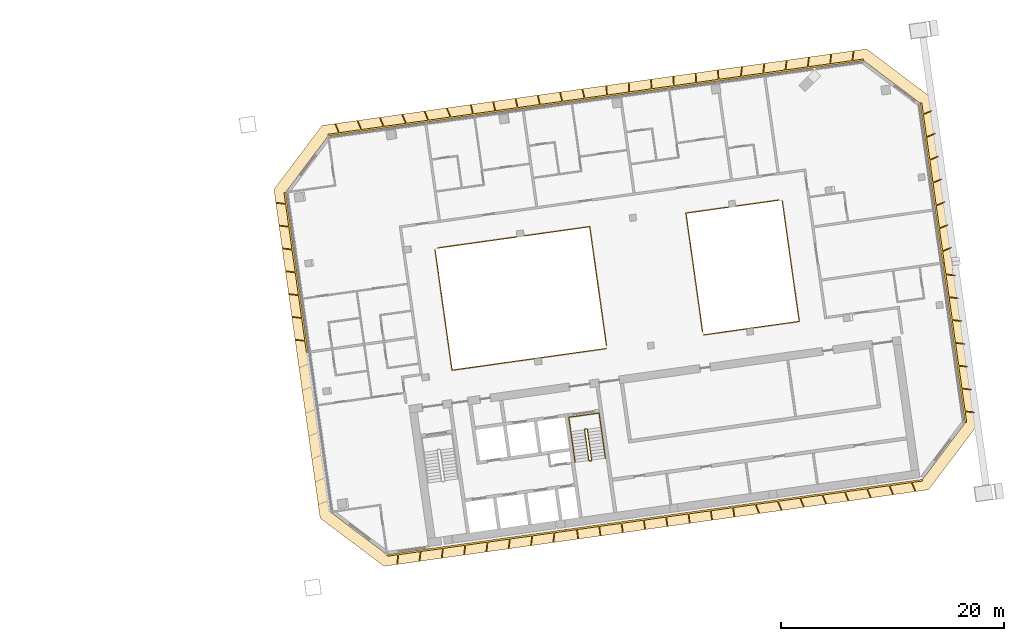
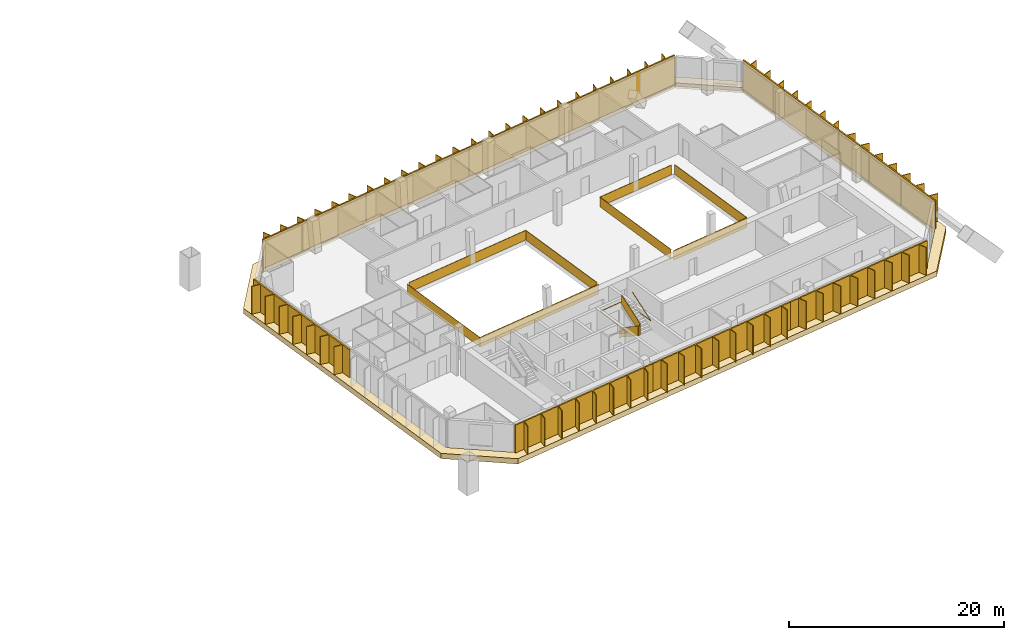
# One storey, part 29 of 29: 10 shading devices, 6 railings, 1 covering.
"""IFC4 building model written with IfcOpenShell, lengths in metres."""

from ifc_helpers import new_model, si_unit, direction, frame, origin, origin_2d, place, context, subcontext, project, spatial, polyline, rectangle, outline, extrude, material, layer, layer_set, type_object, element, save


model = new_model("IFC4")

# Units and contexts
model_context = context("Model", 3, precision=1e-05, world=origin(), true_north=direction((0.0, 1.0)))
body_context = subcontext(model_context, "Body", "Model", "MODEL_VIEW")
ifc_project = project(units=[si_unit("LENGTHUNIT", "METRE"), si_unit("AREAUNIT", "SQUARE_METRE"), si_unit("VOLUMEUNIT", "CUBIC_METRE"), si_unit("PLANEANGLEUNIT", "RADIAN"), si_unit("MASSUNIT", "GRAM", prefix="KILO")], contexts=[model_context])

# Site, building, storey
site_placement = place(None, origin())
site = spatial("IfcSite", under=ifc_project, at=site_placement, CompositionType="ELEMENT")
building_placement = place(site_placement, origin())
building = spatial("IfcBuilding", under=site, at=building_placement, Name="Mirante Cascada Hotel Towers", CompositionType="ELEMENT")
storey_placement = place(building_placement, frame((0.0, 0.0, 206.8)))
storey = spatial("IfcBuildingStorey", under=building, at=storey_placement, Name="L49", CompositionType="ELEMENT", Elevation=206.8)

# Railings
ifc_material_1 = material(Name="Toughened glass with stainless steel handrail", Category="steel")
railing_type_1 = type_object("IfcRailingType", Name="Atrium guard 1100 glass balustrade", PredefinedType="GUARDRAIL", material=ifc_material_1)
railing_1_placement = place(storey_placement, frame((37.864, 6.7125, 0.0)))
element("IfcRailing", 1, at=railing_1_placement, inside=storey, type_object=railing_type_1, Name="GUARD 2-L49-1", PredefinedType="GUARDRAIL", context=body_context, shape_type="SweptSolid", body=[
    extrude(rectangle(XDim=0.048, YDim=0.048, at=origin_2d()), frame((0.0, 0.0, 1.076), z_axis=(0.1391712, -0.9902683, 0.0), x_axis=(0.9902683, 0.1391712, 0.0)), (0.0, 0.0, 1.0), 10.9333),
    extrude(rectangle(XDim=0.02, YDim=1.052, at=origin_2d()), frame((0.0, 0.0, 0.526), z_axis=(0.1391712, -0.9902683, 0.0), x_axis=(0.9902683, 0.1391712, 0.0)), (0.0, 0.0, 1.0), 10.9333),
    extrude(rectangle(XDim=0.048, YDim=0.048, at=origin_2d()), frame((1.5216, -10.8269, 1.076), z_axis=(0.9902678, 0.1391747, 0.0), x_axis=(-0.1391747, 0.9902678, 0.0)), (0.0, 0.0, 1.0), 13.9982),
    extrude(rectangle(XDim=0.02, YDim=1.052, at=origin_2d()), frame((1.5216, -10.8269, 0.526), z_axis=(0.9902678, 0.1391747, 0.0), x_axis=(-0.1391747, 0.9902678, 0.0)), (0.0, 0.0, 1.0), 13.9982),
])
railing_2_placement = place(storey_placement, frame((61.9955, -0.9367, 0.0)))
element("IfcRailing", 2, at=railing_2_placement, inside=storey, type_object=railing_type_1, Name="GUARD 2-L49-2", PredefinedType="GUARDRAIL", context=body_context, shape_type="SweptSolid", body=[
    extrude(rectangle(XDim=0.048, YDim=0.048, at=origin_2d()), frame((0.0, 0.0, 1.076), z_axis=(0.9902686, 0.1391695, 0.0), x_axis=(-0.1391695, 0.9902686, 0.0)), (0.0, 0.0, 1.0), 8.6679),
    extrude(rectangle(XDim=0.02, YDim=1.052, at=origin_2d()), frame((0.0, 0.0, 0.526), z_axis=(0.9902686, 0.1391695, 0.0), x_axis=(-0.1391695, 0.9902686, 0.0)), (0.0, 0.0, 1.0), 8.6679),
    extrude(rectangle(XDim=0.048, YDim=0.048, at=origin_2d()), frame((8.5835, 1.2063, 1.076), z_axis=(-0.1391712, 0.9902683, 0.0), x_axis=(-0.9902683, -0.1391712, 0.0)), (0.0, 0.0, 1.0), 10.9333),
    extrude(rectangle(XDim=0.02, YDim=1.052, at=origin_2d()), frame((8.5835, 1.2063, 0.526), z_axis=(-0.1391712, 0.9902683, 0.0), x_axis=(-0.9902683, -0.1391712, 0.0)), (0.0, 0.0, 1.0), 10.9333),
])
railing_3_placement = place(storey_placement, frame((53.255, -1.8666, 0.0)))
element("IfcRailing", 3, at=railing_3_placement, inside=storey, type_object=railing_type_1, Name="GUARD 2-L49-3", PredefinedType="GUARDRAIL", context=body_context, shape_type="SweptSolid", body=[
    extrude(rectangle(XDim=0.048, YDim=0.048, at=origin_2d()), frame((0.0, 0.0, 1.076), z_axis=(-0.1391715, 0.9902683, 0.0), x_axis=(-0.9902683, -0.1391715, 0.0)), (0.0, 0.0, 1.0), 10.7544),
    extrude(rectangle(XDim=0.02, YDim=1.052, at=origin_2d()), frame((0.0, 0.0, 0.526), z_axis=(-0.1391715, 0.9902683, 0.0), x_axis=(-0.9902683, -0.1391715, 0.0)), (0.0, 0.0, 1.0), 10.7544),
    extrude(rectangle(XDim=0.048, YDim=0.048, at=origin_2d()), frame((-1.4967, 10.6497, 1.076), z_axis=(-0.9902686, -0.1391692, 0.0), x_axis=(0.1391692, -0.9902686, 0.0)), (0.0, 0.0, 1.0), 13.771),
    extrude(rectangle(XDim=0.02, YDim=1.052, at=origin_2d()), frame((-1.4967, 10.6497, 0.526), z_axis=(-0.9902686, -0.1391692, 0.0), x_axis=(0.1391692, -0.9902686, 0.0)), (0.0, 0.0, 1.0), 13.771),
])
railing_4_placement = place(storey_placement, frame((68.7676, 11.1736, 0.0)))
element("IfcRailing", 4, at=railing_4_placement, inside=storey, type_object=railing_type_1, Name="GUARD 2-L49-4", PredefinedType="GUARDRAIL", context=body_context, shape_type="SweptSolid", body=[
    extrude(rectangle(XDim=0.048, YDim=0.048, at=origin_2d()), frame((0.0, 0.0, 1.076), z_axis=(-0.9902699, -0.1391603, 0.0), x_axis=(0.1391603, -0.9902699, 0.0)), (0.0, 0.0, 1.0), 8.4406),
    extrude(rectangle(XDim=0.02, YDim=1.052, at=origin_2d()), frame((0.0, 0.0, 0.526), z_axis=(-0.9902699, -0.1391603, 0.0), x_axis=(0.1391603, -0.9902699, 0.0)), (0.0, 0.0, 1.0), 8.4406),
    extrude(rectangle(XDim=0.048, YDim=0.048, at=origin_2d()), frame((-8.3585, -1.1746, 1.076), z_axis=(0.1391702, -0.9902685, 0.0), x_axis=(0.9902685, 0.1391702, 0.0)), (0.0, 0.0, 1.0), 10.7545),
    extrude(rectangle(XDim=0.02, YDim=1.052, at=origin_2d()), frame((-8.3585, -1.1746, 0.526), z_axis=(0.1391702, -0.9902685, 0.0), x_axis=(0.9902685, 0.1391702, 0.0)), (0.0, 0.0, 1.0), 10.7545),
])

# Covering
ifc_material_2 = material(Name="Precast concrete C40/50 white", Category="concrete")
ifc_layer = layer(ifc_material_2, 0.6)
ifc_layer_set = layer_set([ifc_layer], Name="Precast concrete SUNSHADE band 1000x600")
covering_type = type_object("IfcCoveringType", Name="Precast concrete SUNSHADE band 1000x600", PredefinedType="CLADDING", material=ifc_layer_set)
covering_placement = place(storey_placement, frame((0.0, 0.0, -0.45)))
element("IfcCovering", 5, at=covering_placement, inside=storey, type_object=covering_type, Name="Precast concrete SUNSHADE band T2 L49", PredefinedType="CLADDING", context=body_context, shape_type="SweptSolid", body=[
    extrude(outline(polyline([(23.3823, 12.1307), (27.7108, 17.8748), (76.645, 24.7521), (82.3891, 20.4236), (84.2363, 7.2797), (84.2357, 7.2791), (84.2079, 7.2483), (84.1833, 7.215), (84.1621, 7.1794), (84.1445, 7.1418), (84.1306, 7.1028), (84.1207, 7.0625), (84.1147, 7.0215), (84.1128, 6.9801), (84.1149, 6.9387), (84.1705, 6.3886), (84.1767, 6.3476), (84.1869, 6.3074), (84.201, 6.2684), (84.2188, 6.2309), (84.2402, 6.1954), (84.265, 6.1622), (84.2929, 6.1315), (84.3237, 6.1038), (84.3571, 6.0792), (84.3927, 6.058), (84.4091, 6.0502), (84.5204, 5.2588), (84.5067, 5.2469), (84.4783, 5.2166), (84.453, 5.1838), (84.4311, 5.1486), (84.4127, 5.1115), (84.398, 5.0727), (84.3872, 5.0326), (84.3804, 4.9917), (84.3776, 4.9504), (84.3789, 4.9089), (84.3843, 4.8678), (84.4824, 4.3237), (84.4918, 4.2833), (84.505, 4.244), (84.5221, 4.2062), (84.5428, 4.1703), (84.5668, 4.1366), (84.5941, 4.1053), (84.6244, 4.0769), (84.6572, 4.0517), (84.6924, 4.0297), (84.6931, 4.0293), (86.5404, -9.1145), (82.2119, -14.8586), (33.2777, -21.7359), (27.5336, -17.4074), (23.3823, 12.1307)]), holes=[polyline([(85.4925, -8.8435), (81.4565, 19.8742), (76.374, 23.7042), (28.2602, 16.9422), (24.4302, 11.8597), (28.4663, -16.8581), (33.5487, -20.688), (81.6626, -13.926), (85.4925, -8.8435)])]), origin(), (0.0, 0.0, 1.0), 0.6),
])

# Railings
ifc_material_3 = material(Name="Painted steel", Category="steel")
railing_type_2 = type_object("IfcRailingType", Name="Stair guard 1100 steel balustrade", PredefinedType="GUARDRAIL", material=ifc_material_3)
railing_5_placement = place(storey_placement, frame((51.4864, -9.3815, 0.0)))
element("IfcRailing", 6, at=railing_5_placement, inside=storey, type_object=railing_type_2, Name="L49 ST2-B stair guard 1", PredefinedType="GUARDRAIL", context=body_context, shape_type="SweptSolid", body=[
    extrude(rectangle(XDim=0.048, YDim=0.048, at=origin_2d()), frame((0.0, 0.0, 1.076), z_axis=(-0.9902408, -0.1393672, 0.0), x_axis=(0.1393672, -0.9902408, 0.0)), (0.0, 0.0, 1.0), 0.15),
    extrude(rectangle(XDim=0.02, YDim=1.052, at=origin_2d()), frame((0.0, 0.0, 0.526), z_axis=(-0.9902408, -0.1393672, 0.0), x_axis=(0.1393672, -0.9902408, 0.0)), (0.0, 0.0, 1.0), 0.15),
    extrude(rectangle(XDim=0.048, YDim=0.048, at=origin_2d()), frame((-0.1485, -0.0209, 1.076), z_axis=(-0.6020331, -0.7984711, 0.0), x_axis=(0.7984711, -0.6020331, 0.0)), (0.0, 0.9253398, 0.3791387), 0.1866),
    extrude(rectangle(XDim=0.02, YDim=1.052, at=origin_2d()), frame((-0.1485, -0.0209, 0.526), z_axis=(-0.6020331, -0.7984711, 0.0), x_axis=(0.7984711, -0.6020331, 0.0)), (0.0, 0.9253398, 0.3791387), 0.1866),
    extrude(rectangle(XDim=0.048, YDim=0.048, at=origin_2d()), frame((-0.1911, -0.0774, 1.2487), z_axis=(0.139181, -0.990267, 0.0), x_axis=(0.990267, 0.139181, 0.0)), (0.0, 0.5250347, 0.8510808), 3.2899),
    extrude(rectangle(XDim=0.02, YDim=1.052, at=origin_2d()), frame((-0.1911, -0.0774, 0.6987), z_axis=(0.139181, -0.990267, 0.0), x_axis=(0.990267, 0.139181, 0.0)), (0.0, 0.5250347, 0.8510808), 3.2899),
    extrude(rectangle(XDim=0.048, YDim=0.048, at=origin_2d()), frame((0.1986, -2.8501, 2.976), z_axis=(0.9944441, -0.1052656, 0.0), x_axis=(0.1052656, 0.9944441, 0.0)), (0.0, 0.0, 1.0), 0.2061),
    extrude(rectangle(XDim=0.02, YDim=1.052, at=origin_2d()), frame((0.1986, -2.8501, 2.426), z_axis=(0.9944441, -0.1052656, 0.0), x_axis=(0.1052656, 0.9944441, 0.0)), (0.0, 0.0, 1.0), 0.2061),
    extrude(rectangle(XDim=0.048, YDim=0.048, at=origin_2d()), frame((0.4036, -2.8718, 2.976), z_axis=(-0.9902408, -0.1393672, 0.0), x_axis=(0.1393672, -0.9902408, 0.0)), (0.0, 0.0, 1.0), 0.15),
    extrude(rectangle(XDim=0.02, YDim=1.052, at=origin_2d()), frame((0.4036, -2.8718, 2.426), z_axis=(-0.9902408, -0.1393672, 0.0), x_axis=(0.1393672, -0.9902408, 0.0)), (0.0, 0.0, 1.0), 0.15),
    extrude(rectangle(XDim=0.048, YDim=0.048, at=origin_2d()), frame((0.2551, -2.8927, 2.976), z_axis=(0.9268624, 0.3754011, 0.0), x_axis=(-0.3754011, 0.9268624, 0.0)), (0.0, 0.6421217, 0.7666028), 0.269),
    extrude(rectangle(XDim=0.02, YDim=1.052, at=origin_2d()), frame((0.2551, -2.8927, 2.426), z_axis=(0.9268624, 0.3754011, 0.0), x_axis=(-0.3754011, 0.9268624, 0.0)), (0.0, 0.6421217, 0.7666028), 0.269),
    extrude(rectangle(XDim=0.048, YDim=0.048, at=origin_2d()), frame((0.4462, -2.8153, 3.1487), z_axis=(-0.139181, 0.990267, 0.0), x_axis=(-0.990267, -0.139181, 0.0)), (0.0, 0.5250347, 0.8510808), 3.2899),
    extrude(rectangle(XDim=0.02, YDim=1.052, at=origin_2d()), frame((0.4462, -2.8153, 2.5987), z_axis=(-0.139181, 0.990267, 0.0), x_axis=(-0.990267, -0.139181, 0.0)), (0.0, 0.5250347, 0.8510808), 3.2899),
])
ifc_material_4 = material(Name="Painted steel", Category="steel")
railing_type_3 = type_object("IfcRailingType", Name="Stair handrail 900 steel tube", PredefinedType="HANDRAIL", material=ifc_material_4)
railing_6_placement = place(storey_placement, frame((50.0575, -9.6328, 0.1727)))
element("IfcRailing", 7, at=railing_6_placement, inside=storey, type_object=railing_type_3, Name="L49 ST2-B stair handrail 1", PredefinedType="HANDRAIL", context=body_context, shape_type="SweptSolid", body=[
    extrude(rectangle(XDim=0.048, YDim=0.048, at=origin_2d()), frame((0.0, 0.0, 0.876), z_axis=(0.139176, -0.9902677, 0.0), x_axis=(0.9902677, 0.139176, 0.0)), (0.0, 0.5250212, 0.8510891), 3.29),
    extrude(rectangle(XDim=0.048, YDim=0.048, at=origin_2d()), frame((0.3897, -2.7728, 2.6033), z_axis=(-0.1391707, 0.9902684, 0.0), x_axis=(-0.9902684, -0.1391707, 0.0)), (0.0, 0.0420846, 0.999114), 4.1036),
    extrude(rectangle(XDim=0.048, YDim=0.048, at=origin_2d()), frame((-0.1809, 1.2873, 2.776), z_axis=(0.9902641, 0.1392013, 0.0), x_axis=(-0.1392013, 0.9902641, 0.0)), (0.0, 0.0, 1.0), 2.75),
    extrude(rectangle(XDim=0.048, YDim=0.048, at=origin_2d()), frame((2.5423, 1.6701, 2.776), z_axis=(0.1391707, -0.9902684, 0.0), x_axis=(0.9902684, 0.1391707, 0.0)), (0.0, 0.0, 1.0), 4.1),
    extrude(rectangle(XDim=0.048, YDim=0.048, at=origin_2d()), frame((3.1129, -2.39, 2.776), z_axis=(-0.139181, 0.990267, 0.0), x_axis=(-0.990267, -0.139181, 0.0)), (0.0, 0.5250347, 0.8510808), 3.2899),
])

# Shading devices
ifc_material_5 = material(Name="White precast concrete C50/60 fin", Category="concrete")
shading_device_type = type_object("IfcShadingDeviceType", Name="Vertical fin set 4500x900", PredefinedType="USERDEFINED", material=ifc_material_5)
shading_device_1_placement = place(storey_placement, origin())
element("IfcShadingDevice", 8, at=shading_device_1_placement, inside=storey, type_object=shading_device_type, Name="FIN T2 L49 front 1", ObjectType="FIN", PredefinedType="USERDEFINED", context=body_context, shape_type="SweptSolid", body=[
    extrude(outline(polyline([(65.4834, 23.142), (65.3813, 22.3107), (67.304, 22.5809), (67.4087, 23.4335), (67.4881, 23.4237), (67.386, 22.5925), (69.3088, 22.8627), (69.4134, 23.7152), (69.4928, 23.7055), (69.3908, 22.8742), (71.3135, 23.1444), (71.4182, 23.997), (71.4976, 23.9872), (71.3955, 23.156), (73.3183, 23.4262), (73.4229, 24.2787), (73.5023, 24.269), (73.4003, 23.4377), (75.323, 23.7079), (75.4277, 24.5605), (75.5071, 24.5507), (75.405, 23.7195), (76.3531, 23.8527), (76.374, 23.7042), (64.3455, 22.0137), (64.3247, 22.1622), (65.2993, 22.2992), (65.404, 23.1517), (65.4834, 23.142)])), origin(), (0.0, 0.0, 1.0), 3.3),
])
shading_device_2_placement = place(storey_placement, origin())
element("IfcShadingDevice", 9, at=shading_device_2_placement, inside=storey, type_object=shading_device_type, Name="FIN T2 L49 front 2", ObjectType="FIN", PredefinedType="USERDEFINED", context=body_context, shape_type="SweptSolid", body=[
    extrude(outline(polyline([(53.2984, 21.4639), (53.3427, 20.6188), (55.2679, 20.8894), (55.2232, 21.7415), (55.3031, 21.7457), (55.3474, 20.9005), (57.2726, 21.1711), (57.228, 22.0233), (57.3079, 22.0274), (57.3521, 21.1823), (59.2774, 21.4529), (59.2327, 22.305), (59.3126, 22.3092), (59.3569, 21.464), (61.2821, 21.7346), (61.2374, 22.5868), (61.3173, 22.5909), (61.3616, 21.7458), (63.2868, 22.0164), (63.2422, 22.8685), (63.3221, 22.8727), (63.3664, 22.0275), (64.3247, 22.1622), (64.3455, 22.0137), (52.3171, 20.3232), (52.2962, 20.4717), (53.2631, 20.6076), (53.2185, 21.4598), (53.2984, 21.4639)])), origin(), (0.0, 0.0, 1.0), 3.3),
])
shading_device_3_placement = place(storey_placement, origin())
element("IfcShadingDevice", 10, at=shading_device_3_placement, inside=storey, type_object=shading_device_type, Name="FIN T2 L49 front 3", ObjectType="FIN", PredefinedType="USERDEFINED", context=body_context, shape_type="SweptSolid", body=[
    extrude(outline(polyline([(41.1136, 19.7585), (41.3055, 18.9271), (43.2308, 19.1977), (43.0404, 20.0223), (43.1183, 20.0403), (43.3103, 19.2088), (45.2355, 19.4794), (45.0451, 20.304), (45.1231, 20.322), (45.315, 19.4906), (47.2402, 19.7612), (47.0499, 20.5858), (47.1278, 20.6038), (47.3198, 19.7723), (49.245, 20.0429), (49.0546, 20.8675), (49.1326, 20.8855), (49.3245, 20.0541), (51.2497, 20.3247), (51.0594, 21.1493), (51.1373, 21.1673), (51.3293, 20.3358), (52.2962, 20.4717), (52.3171, 20.3232), (40.2886, 18.6327), (40.2677, 18.7812), (41.226, 18.9159), (41.0356, 19.7405), (41.1136, 19.7585)])), origin(), (0.0, 0.0, 1.0), 3.3),
])
shading_device_4_placement = place(storey_placement, origin())
element("IfcShadingDevice", 11, at=shading_device_4_placement, inside=storey, type_object=shading_device_type, Name="FIN T2 L49 front 4", ObjectType="FIN", PredefinedType="USERDEFINED", context=body_context, shape_type="SweptSolid", body=[
    extrude(outline(polyline([(28.9338, 18.0262), (29.2694, 17.2355), (31.1921, 17.5057), (30.8649, 18.2767), (30.9385, 18.3079), (31.2741, 17.5173), (33.1969, 17.7875), (32.8696, 18.5584), (32.9433, 18.5897), (33.2789, 17.799), (35.2016, 18.0692), (34.8744, 18.8402), (34.948, 18.8714), (35.2836, 18.0808), (37.2064, 18.351), (36.8791, 19.1219), (36.9528, 19.1532), (37.2884, 18.3625), (39.2111, 18.6327), (38.8839, 19.4037), (38.9575, 19.4349), (39.2931, 18.6443), (40.2677, 18.7812), (40.2886, 18.6327), (28.2602, 16.9422), (28.2393, 17.0907), (29.1874, 17.224), (28.8601, 17.9949), (28.9338, 18.0262)])), origin(), (0.0, 0.0, 1.0), 3.3),
])
shading_device_5_placement = place(storey_placement, origin())
element("IfcShadingDevice", 12, at=shading_device_5_placement, inside=storey, type_object=shading_device_type, Name="FIN T2 L49 inner 1", ObjectType="FIN", PredefinedType="USERDEFINED", context=body_context, shape_type="SweptSolid", body=[
    extrude(outline(polyline([(25.3167, -1.3381), (26.1479, -1.4401), (25.8712, 0.5291), (25.0186, 0.6338), (25.0284, 0.7132), (25.8596, 0.6111), (25.5829, 2.5804), (24.7303, 2.6851), (24.7401, 2.7645), (25.5714, 2.6624), (25.2946, 4.6317), (24.4421, 4.7363), (24.4518, 4.8157), (25.2831, 4.7137), (25.0063, 6.6829), (24.1538, 6.7876), (24.1635, 6.867), (24.9948, 6.7649), (24.718, 8.7342), (23.8655, 8.8389), (23.8752, 8.9183), (24.7065, 8.8162), (24.4297, 10.7855), (23.5772, 10.8901), (23.5869, 10.9696), (24.4182, 10.8675), (24.2817, 11.8388), (24.4302, 11.8597), (26.4482, -2.4992), (26.2997, -2.52), (26.1595, -1.5221), (25.3069, -1.4175), (25.3167, -1.3381)])), origin(), (0.0, 0.0, 1.0), 3.3),
])
shading_device_6_placement = place(storey_placement, origin())
element("IfcShadingDevice", 13, at=shading_device_6_placement, inside=storey, type_object=shading_device_type, Name="FIN T2 L49 outer 1", ObjectType="FIN", PredefinedType="USERDEFINED", context=body_context, shape_type="SweptSolid", body=[
    extrude(outline(polyline([(86.3358, -7.9534), (85.5045, -7.8513), (85.641, -8.8227), (85.4925, -8.8435), (83.4745, 5.5153), (83.623, 5.5362), (83.7633, 4.5383), (84.6158, 4.4336), (84.6061, 4.3542), (83.7748, 4.4563), (84.0515, 2.4871), (84.9041, 2.3824), (84.8943, 2.303), (84.0631, 2.405), (84.3398, 0.4358), (85.1924, 0.3311), (85.1826, 0.2517), (84.3514, 0.3538), (84.6281, -1.6155), (85.4807, -1.7202), (85.4709, -1.7996), (84.6396, -1.6975), (84.9164, -3.6667), (85.769, -3.7714), (85.7592, -3.8508), (84.9279, -3.7488), (85.2047, -5.718), (86.0572, -5.8227), (86.0475, -5.9021), (85.2162, -5.8), (85.493, -7.7693), (86.3455, -7.874), (86.3358, -7.9534)])), origin(), (0.0, 0.0, 1.0), 3.3),
])
shading_device_7_placement = place(storey_placement, origin())
element("IfcShadingDevice", 14, at=shading_device_7_placement, inside=storey, type_object=shading_device_type, Name="FIN T2 L49 outer 2", ObjectType="FIN", PredefinedType="USERDEFINED", context=body_context, shape_type="SweptSolid", body=[
    extrude(outline(polyline([(84.2734, 6.8697), (83.4828, 6.5341), (83.623, 5.5362), (83.4745, 5.5153), (81.4565, 19.8742), (81.605, 19.8951), (81.7415, 18.9238), (82.5125, 19.251), (82.5437, 19.1774), (81.753, 18.8417), (82.0298, 16.8725), (82.8007, 17.1997), (82.832, 17.1261), (82.0413, 16.7905), (82.3181, 14.8212), (83.089, 15.1485), (83.1203, 15.0748), (82.3296, 14.7392), (82.6064, 12.7699), (83.3773, 13.0972), (83.4086, 13.0235), (82.6179, 12.6879), (82.8947, 10.7187), (83.6656, 11.0459), (83.6969, 10.9723), (82.9062, 10.6367), (83.183, 8.6674), (83.9539, 8.9946), (83.9852, 8.921), (83.1945, 8.5854), (83.4712, 6.6161), (84.2422, 6.9434), (84.2734, 6.8697)])), origin(), (0.0, 0.0, 1.0), 3.3),
])
shading_device_8_placement = place(storey_placement, origin())
element("IfcShadingDevice", 15, at=shading_device_8_placement, inside=storey, type_object=shading_device_type, Name="FIN T2 L49 rear 1", ObjectType="FIN", PredefinedType="USERDEFINED", context=body_context, shape_type="SweptSolid", body=[
    extrude(outline(polyline([(34.4156, -21.5345), (34.5177, -20.7033), (33.5696, -20.8365), (33.5487, -20.688), (49.5867, -18.434), (49.6076, -18.5825), (48.6329, -18.7195), (48.5282, -19.5721), (48.4488, -19.5623), (48.5509, -18.731), (46.6282, -19.0013), (46.5235, -19.8538), (46.4441, -19.8441), (46.5462, -19.0128), (44.6234, -19.283), (44.5188, -20.1356), (44.4394, -20.1258), (44.5414, -19.2945), (42.6187, -19.5648), (42.514, -20.4173), (42.4346, -20.4076), (42.5367, -19.5763), (40.614, -19.8465), (40.5093, -20.6991), (40.4299, -20.6893), (40.5319, -19.858), (38.6092, -20.1283), (38.5045, -20.9808), (38.4251, -20.9711), (38.5272, -20.1398), (36.6045, -20.41), (36.4998, -21.2626), (36.4204, -21.2528), (36.5225, -20.4215), (34.5997, -20.6917), (34.4951, -21.5443), (34.4156, -21.5345)])), origin(), (0.0, 0.0, 1.0), 3.3),
])
shading_device_9_placement = place(storey_placement, origin())
element("IfcShadingDevice", 16, at=shading_device_9_placement, inside=storey, type_object=shading_device_type, Name="FIN T2 L49 rear 2", ObjectType="FIN", PredefinedType="USERDEFINED", context=body_context, shape_type="SweptSolid", body=[
    extrude(outline(polyline([(50.6886, -19.289), (50.5703, -18.4472), (49.6076, -18.5825), (49.5867, -18.434), (65.6246, -16.18), (65.6455, -16.3286), (64.6827, -16.4639), (64.801, -17.3056), (64.7218, -17.3167), (64.6035, -16.475), (62.678, -16.7456), (62.7963, -17.5873), (62.7171, -17.5985), (62.5988, -16.7567), (60.6733, -17.0274), (60.7915, -17.8691), (60.7123, -17.8802), (60.594, -17.0385), (58.6685, -17.3091), (58.7868, -18.1508), (58.7076, -18.162), (58.5893, -17.3202), (56.6638, -17.5909), (56.7821, -18.4326), (56.7028, -18.4437), (56.5845, -17.602), (54.659, -17.8726), (54.7773, -18.7143), (54.6981, -18.7255), (54.5798, -17.8837), (52.6543, -18.1543), (52.7726, -18.9961), (52.6934, -19.0072), (52.5751, -18.1655), (50.6495, -18.4361), (50.7678, -19.2778), (50.6886, -19.289)])), origin(), (0.0, 0.0, 1.0), 3.3),
])
shading_device_10_placement = place(storey_placement, origin())
element("IfcShadingDevice", 17, at=shading_device_10_placement, inside=storey, type_object=shading_device_type, Name="FIN T2 L49 rear 3", ObjectType="FIN", PredefinedType="USERDEFINED", context=body_context, shape_type="SweptSolid", body=[
    extrude(outline(polyline([(66.9557, -16.9822), (66.6201, -16.1916), (65.6455, -16.3286), (65.6246, -16.18), (81.6626, -13.926), (81.6834, -14.0746), (80.7353, -14.2078), (81.0626, -14.9788), (80.9889, -15.01), (80.6533, -14.2193), (78.7306, -14.4896), (79.0578, -15.2605), (78.9842, -15.2918), (78.6486, -14.5011), (76.7259, -14.7713), (77.0531, -15.5422), (76.9795, -15.5735), (76.6438, -14.7828), (74.7211, -15.0531), (75.0484, -15.824), (74.9747, -15.8553), (74.6391, -15.0646), (72.7164, -15.3348), (73.0436, -16.1057), (72.97, -16.137), (72.6344, -15.3463), (70.7116, -15.6166), (71.0389, -16.3875), (70.9652, -16.4188), (70.6296, -15.6281), (68.7069, -15.8983), (69.0341, -16.6692), (68.9605, -16.7005), (68.6249, -15.9098), (66.7021, -16.18), (67.0294, -16.951), (66.9557, -16.9822)])), origin(), (0.0, 0.0, 1.0), 3.3),
])

save(model, "model.ifc")
